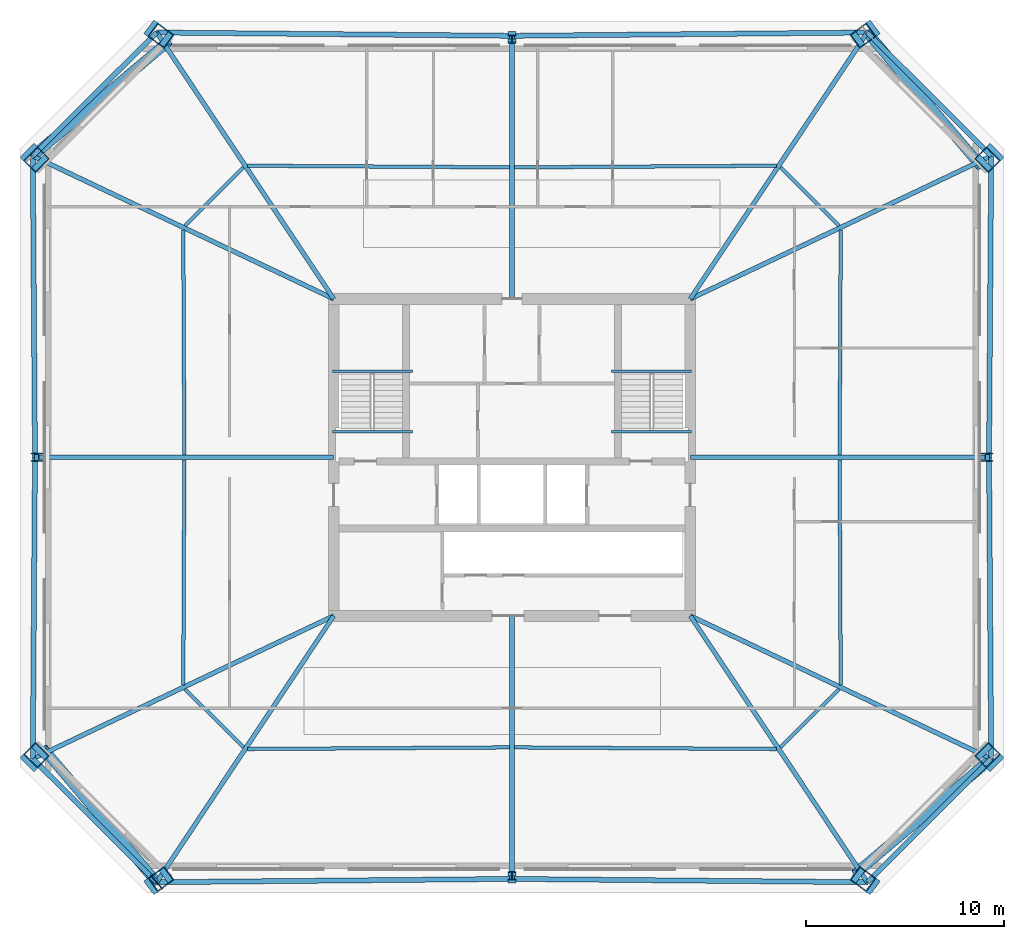
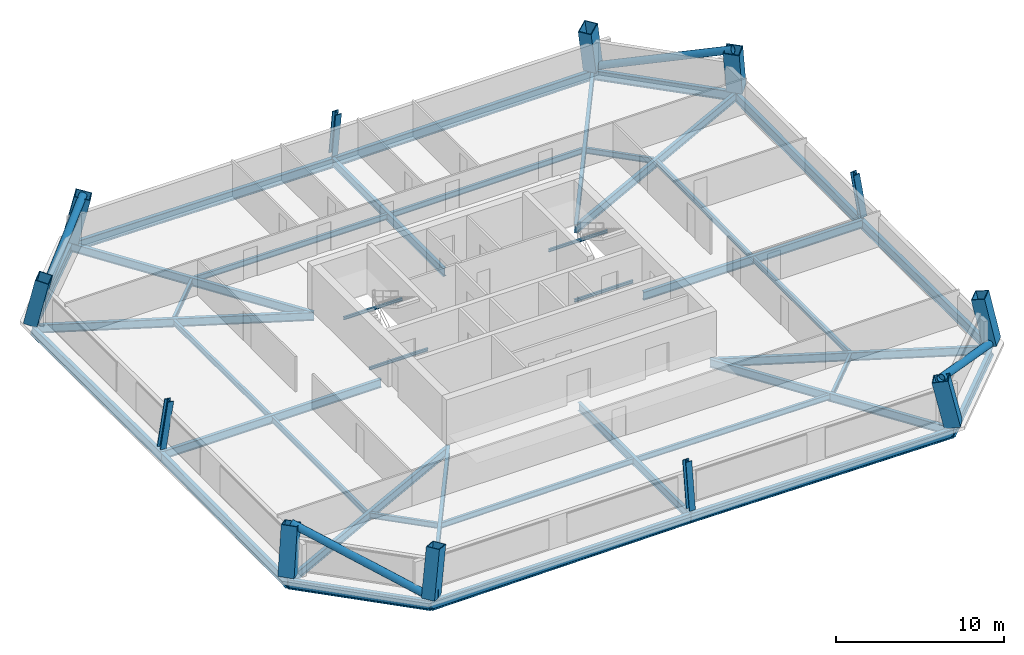
# One storey, part 1 of 6: 40 beams, 12 columns, 4 members, 1 plate.
"""IFC4 building model written with IfcOpenShell, lengths in metres."""

import ifcopenshell
import ifcopenshell.guid

model = None  # the IFC model being written
_history = None  # IfcOwnerHistory: only IFC2X3 demands one
_inside = {}  # id of a spatial element -> (the spatial element, [elements in it])
_under = {}  # id of a project, library or spatial element -> (it, [spatial elements below it])
_declared = {}  # id of a project -> (the project, [libraries it declares])
_typed = {}  # id of a type object -> (the type object, [elements of that type])
_made_of = {}  # id of a material, layer set ... -> (it, [elements and type objects made of it])


def new_model(schema):
    """Start an empty IFC model of exactly this schema.

    Asked for "IFC4X3", IfcOpenShell would pick the latest addendum, in which some entities
    have other attributes; the version numbers below select the first issue.
    IFC2X3 requires an IfcOwnerHistory on every rooted entity: one is made here for all.
    """
    global model, _history
    if schema == "IFC4X3":
        model = ifcopenshell.file(schema_version=(4, 3, 0, 0))
    else:
        model = ifcopenshell.file(schema=schema)
    _inside.clear()
    _under.clear()
    _declared.clear()
    _typed.clear()
    _made_of.clear()
    _history = None
    if model.schema == "IFC2X3":
        org = make("IfcOrganization", Name="unknown")
        user = make(
            "IfcPersonAndOrganization",
            ThePerson=make("IfcPerson", FamilyName="unknown"),
            TheOrganization=org,
        )
        app = make(
            "IfcApplication",
            ApplicationDeveloper=org,
            Version="unknown",
            ApplicationFullName="unknown",
            ApplicationIdentifier="unknown",
        )
        _history = make(
            "IfcOwnerHistory",
            OwningUser=user,
            OwningApplication=app,
            ChangeAction="ADDED",
            CreationDate=0,
        )
    return model


def make(cls, **values):
    """One entity of the class cls with the attributes given. An attribute that is None is left unset."""
    return model.create_entity(
        cls, **{name: value for name, value in values.items() if value is not None}
    )


def rooted(cls, **values):
    """An entity with a GlobalId (a new one), such as an element, a storey or a relation."""
    return make(cls, GlobalId=ifcopenshell.guid.new(), OwnerHistory=_history, **values)


def si_unit(unit_type, name, prefix=None):
    """IfcSIUnit, for example si_unit("LENGTHUNIT", "METRE", prefix="MILLI")."""
    return make("IfcSIUnit", UnitType=unit_type, Prefix=prefix, Name=name)


def assignment(units):
    """IfcUnitAssignment: the units of a project."""
    return None if units is None else make("IfcUnitAssignment", Units=units)


def point(xyz):
    """IfcCartesianPoint."""
    return None if xyz is None else make("IfcCartesianPoint", Coordinates=xyz)


def direction(xyz):
    """IfcDirection."""
    return None if xyz is None else make("IfcDirection", DirectionRatios=xyz)


def frame(location, z_axis=None, x_axis=None):
    """IfcAxis2Placement3D, a coordinate frame: its origin and axes. An axis left out is left unset."""
    return make(
        "IfcAxis2Placement3D",
        Location=point(location),
        Axis=direction(z_axis),
        RefDirection=direction(x_axis),
    )


def frame_2d(location, x_axis=None):
    """IfcAxis2Placement2D, a coordinate frame in the plane: its origin and x axis."""
    return make(
        "IfcAxis2Placement2D", Location=point(location), RefDirection=direction(x_axis)
    )


def origin():
    """The frame at (0, 0, 0) with its axes left unset."""
    return frame((0.0, 0.0, 0.0))


def origin_2d():
    """The frame at (0, 0) in the plane with its x axis left unset."""
    return frame_2d((0.0, 0.0))


def place(relative_to, where):
    """IfcLocalPlacement: puts the frame where relative to a parent placement (None: the world)."""
    return make(
        "IfcLocalPlacement", PlacementRelTo=relative_to, RelativePlacement=where
    )


def context(
    kind, dimensions, precision=None, world=None, true_north=None, identifier=None
):
    """IfcGeometricRepresentationContext, for example the 3D "Model" context."""
    return make(
        "IfcGeometricRepresentationContext",
        ContextIdentifier=identifier,
        ContextType=kind,
        CoordinateSpaceDimension=dimensions,
        Precision=precision,
        WorldCoordinateSystem=world,
        TrueNorth=true_north,
    )


def subcontext(parent, identifier, kind, view, scale=None):
    """IfcGeometricRepresentationSubContext, for example "Body" below "Model"."""
    return make(
        "IfcGeometricRepresentationSubContext",
        ContextIdentifier=identifier,
        ContextType=kind,
        ParentContext=parent,
        TargetScale=scale,
        TargetView=view,
    )


def project(units=None, contexts=None):
    """IfcProject with its units and contexts."""
    return rooted(
        "IfcProject",
        Name="project",
        RepresentationContexts=contexts,
        UnitsInContext=assignment(units),
    )


def spatial(cls, under=None, at=None, **own):
    """A site, building, storey or space (cls), placed at a placement, below another one or the project."""
    s = rooted(cls, ObjectPlacement=at, **own)
    if under is not None:
        _under.setdefault(under.id(), (under, []))[1].append(s)
    return s


def profile(cls, at=None, kind="AREA", **sizes):
    """A parametric profile (cls). Its sizes go by their IFC names, for example OverallWidth=200.0."""
    return make(cls, ProfileType=kind, Position=at, **sizes)


def rectangle(**sizes):
    """IfcRectangleProfileDef."""
    return profile("IfcRectangleProfileDef", **sizes)


def hollow_rectangle(**sizes):
    """IfcRectangleHollowProfileDef."""
    return profile("IfcRectangleHollowProfileDef", **sizes)


def hollow_circle(**sizes):
    """IfcCircleHollowProfileDef."""
    return profile("IfcCircleHollowProfileDef", **sizes)


def i_section(**sizes):
    """IfcIShapeProfileDef."""
    return profile("IfcIShapeProfileDef", **sizes)


def extrude(swept, where, along, depth):
    """IfcExtrudedAreaSolid: the profile swept, set in the frame where, extruded along a direction by depth."""
    return make(
        "IfcExtrudedAreaSolid",
        SweptArea=swept,
        Position=where,
        ExtrudedDirection=direction(along),
        Depth=depth,
    )


def shape(context_of_items, identifier, shape_type, items):
    """IfcShapeRepresentation: the items that make up one representation, for example the "Body"."""
    return make(
        "IfcShapeRepresentation",
        ContextOfItems=context_of_items,
        RepresentationIdentifier=identifier,
        RepresentationType=shape_type,
        Items=items,
    )


def material(Name=None, Category=None):
    """IfcMaterial."""
    return make("IfcMaterial", Name=Name, Category=Category)


def layer(
    of_material, thickness, ventilated=None, Name=None, Category=None, Priority=None
):
    """IfcMaterialLayer: one layer of a wall or slab, of a material (None: an air gap)."""
    return make(
        "IfcMaterialLayer",
        Material=of_material,
        LayerThickness=thickness,
        IsVentilated=ventilated,
        Name=Name,
        Category=Category,
        Priority=Priority,
    )


def layer_set(layers, Name=None):
    """IfcMaterialLayerSet."""
    return make("IfcMaterialLayerSet", MaterialLayers=layers, LayerSetName=Name)


def material_profile(
    of_material, cross_section, Name=None, Category=None, Priority=None
):
    """IfcMaterialProfile: a cross section and its material."""
    return make(
        "IfcMaterialProfile",
        Name=Name,
        Material=of_material,
        Profile=cross_section,
        Priority=Priority,
        Category=Category,
    )


def profile_set(profiles, Name=None, composite=None):
    """IfcMaterialProfileSet."""
    return make(
        "IfcMaterialProfileSet",
        Name=Name,
        MaterialProfiles=profiles,
        CompositeProfile=composite,
    )


def made_of(thing, what):
    """Note that an element or type object is made of a material, layer set ...; save() writes the relation."""
    if what is not None:
        _made_of.setdefault(what.id(), (what, []))[1].append(thing)
    return thing


def type_object(cls, material=None, **own):
    """A type object (cls), such as IfcWallType, which elements share."""
    return made_of(rooted(cls, **own), material)


def element(
    cls,
    number,
    at=None,
    inside=None,
    cuts=None,
    type_object=None,
    material=None,
    context=None,
    identifier="Body",
    shape_type=None,
    held_by="IfcProductDefinitionShape",
    body=None,
    shapes=None,
    **own,
):
    """One element of the class cls, such as IfcWall. Its Tag is "e" and its number.

    at: its placement. inside: the storey or other place that contains it. cuts: it is an
    opening in that element (IfcRelVoidsElement). A single representation is given by context,
    identifier, shape_type and body (its items); several are given by shapes. held_by: the class
    of the entity that holds the representations. save() writes the other relations.
    """
    e = rooted(cls, Tag="e%d" % number, ObjectPlacement=at, **own)
    if body is not None:
        shapes = [shape(context, identifier, shape_type, body)]
    if shapes is not None:
        e.Representation = make(held_by, Representations=shapes)
    if inside is not None:
        _inside.setdefault(inside.id(), (inside, []))[1].append(e)
    if cuts is not None:
        rooted(
            "IfcRelVoidsElement", RelatingBuildingElement=cuts, RelatedOpeningElement=e
        )
    if type_object is not None:
        _typed.setdefault(type_object.id(), (type_object, []))[1].append(e)
    return made_of(e, material)


def aggregate(whole, parts):
    """IfcRelAggregates: a whole, such as a stair, and the parts it consists of."""
    return rooted("IfcRelAggregates", RelatingObject=whole, RelatedObjects=parts)


def save(model, path):
    """Write the relations noted so far, then the file.

    IfcRelAggregates (storeys below a building ...), IfcRelContainedInSpatialStructure (elements
    in a storey), IfcRelDefinesByType, IfcRelAssociatesMaterial and IfcRelDeclares: one each for
    every whole, place, type object, material and project.
    """
    for whole, parts in _under.values():
        aggregate(whole, parts)
    for where, things in _inside.values():
        rooted(
            "IfcRelContainedInSpatialStructure",
            RelatedElements=things,
            RelatingStructure=where,
        )
    for kind, things in _typed.values():
        rooted("IfcRelDefinesByType", RelatedObjects=things, RelatingType=kind)
    for what, things in _made_of.values():
        rooted("IfcRelAssociatesMaterial", RelatedObjects=things, RelatingMaterial=what)
    for by, libraries in _declared.values():
        rooted("IfcRelDeclares", RelatingContext=by, RelatedDefinitions=libraries)
    model.write(path)


model = new_model("IFC4")

# Units and contexts
model_context = context("Model", 3, precision=1e-05, world=origin(), true_north=direction((0.0, 1.0)))
body_context = subcontext(model_context, "Body", "Model", "MODEL_VIEW")
ifc_project = project(units=[si_unit("LENGTHUNIT", "METRE"), si_unit("AREAUNIT", "SQUARE_METRE"), si_unit("VOLUMEUNIT", "CUBIC_METRE"), si_unit("PLANEANGLEUNIT", "RADIAN"), si_unit("MASSUNIT", "GRAM", prefix="KILO")], contexts=[model_context])

# Site, building, storey
site_placement = place(None, origin())
site = spatial("IfcSite", under=ifc_project, at=site_placement, CompositionType="ELEMENT")
building_placement = place(site_placement, origin())
building = spatial("IfcBuilding", under=site, at=building_placement, Name="Caelvoria Tower", CompositionType="ELEMENT")
storey_placement = place(building_placement, frame((0.0, 0.0, 163.60009765625)))
storey = spatial("IfcBuildingStorey", under=building, at=storey_placement, Name="L43", CompositionType="ELEMENT", Elevation=163.60009765625)

# Columns
ifc_material_1 = material(Name="Structural Steel ASTM A572 Gr.50", Category="steel")
ifc_material_profile_1 = material_profile(ifc_material_1, hollow_rectangle(XDim=0.85009765625, YDim=1.0, WallThickness=0.050048828125, at=origin_2d()), Name="Structural Steel ASTM A572 Gr.50")
ifc_profile_set_1 = profile_set([ifc_material_profile_1], Name="BOX1000X850X50 - Structural Steel ASTM A572 Gr.50")
column_type_1 = type_object("IfcColumnType", Name="Mega Box Column 1000x850x50", PredefinedType="COLUMN", material=ifc_profile_set_1)
for number, where, z_axis, x_axis, name in (
    (1, (28.06201171875, 10.55224609375, 0.0), (0.177459869766, 0.131769219711, 0.975266562207), (-0.596154567715, 0.802869685187, 0.0), "Perimeter Megaframe Column L43-P00"),
    (2, (63.93798828125, 10.55224609375, 0.0), (-0.177459869766, 0.131769219711, 0.975266562207), (-0.596154567715, -0.802869685187, 0.0), "Perimeter Megaframe Column L43-P02"),
):
    element("IfcColumn", number, at=place(storey_placement, frame(where, z_axis=z_axis, x_axis=x_axis)), inside=storey, type_object=column_type_1, Name=name, PredefinedType="COLUMN", context=body_context, shape_type="SweptSolid", body=[
        extrude(hollow_rectangle(XDim=0.85009765625, YDim=1.0, WallThickness=0.050048828125, at=origin_2d()), origin(), (0.0, 0.0, 1.0), 3.36083984375),
    ])
for number, where, z_axis, x_axis, name in (
    (3, (70.1904296875, 16.783447265625, 0.0), (-0.155392621081, 0.153720951163, 0.975819144354), (0.693729718615, -0.686266770285, 0.218579499296), "Perimeter Megaframe Column L43-P03"),
    (4, (70.1904296875, 47.216552734375, 0.0), (-0.155392621081, -0.153720951163, 0.975819144354), (0.693729718615, 0.686266770285, 0.218579499296), "Perimeter Megaframe Column L43-P05"),
):
    element("IfcColumn", number, at=place(storey_placement, frame(where, z_axis=z_axis, x_axis=x_axis)), inside=storey, type_object=column_type_1, Name=name, PredefinedType="COLUMN", context=body_context, shape_type="SweptSolid", body=[
        extrude(hollow_rectangle(XDim=0.85009765625, YDim=1.0, WallThickness=0.050048828125, at=origin_2d()), origin(), (0.0, 0.0, 1.0), 3.359130859375),
    ])
for number, where, z_axis, x_axis, name in (
    (5, (63.93798828125, 53.44775390625, 0.0), (-0.177459869766, -0.131769219711, 0.975266562207), (0.596154567715, -0.802869685187, 0.0), "Perimeter Megaframe Column L43-P06"),
    (6, (28.06201171875, 53.44775390625, 0.0), (0.177459869766, -0.131769219711, 0.975266562207), (0.596154567715, 0.802869685187, 0.0), "Perimeter Megaframe Column L43-P08"),
):
    element("IfcColumn", number, at=place(storey_placement, frame(where, z_axis=z_axis, x_axis=x_axis)), inside=storey, type_object=column_type_1, Name=name, PredefinedType="COLUMN", context=body_context, shape_type="SweptSolid", body=[
        extrude(hollow_rectangle(XDim=0.85009765625, YDim=1.0, WallThickness=0.050048828125, at=origin_2d()), origin(), (0.0, 0.0, 1.0), 3.36083984375),
    ])
for number, where, z_axis, x_axis, name in (
    (7, (21.8095703125, 47.216552734375, 0.0), (0.155392621081, -0.153720951163, 0.975819144354), (-0.693729718615, 0.686266770285, 0.218579499296), "Perimeter Megaframe Column L43-P09"),
    (8, (21.8095703125, 16.783447265625, 0.0), (0.155392621081, 0.153720951163, 0.975819144354), (-0.693729718615, -0.686266770285, 0.218579499296), "Perimeter Megaframe Column L43-P11"),
):
    element("IfcColumn", number, at=place(storey_placement, frame(where, z_axis=z_axis, x_axis=x_axis)), inside=storey, type_object=column_type_1, Name=name, PredefinedType="COLUMN", context=body_context, shape_type="SweptSolid", body=[
        extrude(hollow_rectangle(XDim=0.85009765625, YDim=1.0, WallThickness=0.050048828125, at=origin_2d()), origin(), (0.0, 0.0, 1.0), 3.359130859375),
    ])
ifc_material_2 = material(Name="Structural Steel ASTM A992 Gr.50", Category="steel")
ifc_material_profile_2 = material_profile(ifc_material_2, i_section(OverallWidth=0.406005859375, OverallDepth=0.425048828125, WebThickness=0.03271484375, FlangeThickness=0.052490234375, FilletRadius=0.02490234375, at=origin_2d()), Name="Structural Steel ASTM A992 Gr.50")
ifc_profile_set_2 = profile_set([ifc_material_profile_2], Name="W360X421 - Structural Steel ASTM A992 Gr.50")
column_type_2 = type_object("IfcColumnType", Name="Mid Frame Column W360X421", PredefinedType="COLUMN", material=ifc_profile_set_2)
column_1_placement = place(storey_placement, frame((46.0, 10.719970703125, 0.0), z_axis=(0.0, 0.133024371067, 0.991112766895), x_axis=(-1.0, 0.0, 0.0)))
element("IfcColumn", 9, at=column_1_placement, inside=storey, type_object=column_type_2, Name="Perimeter Megaframe Column L43-P01", PredefinedType="COLUMN", context=body_context, shape_type="SweptSolid", body=[
    extrude(i_section(OverallWidth=0.406005859375, OverallDepth=0.425048828125, WebThickness=0.03271484375, FlangeThickness=0.052490234375, FilletRadius=0.02490234375, at=origin_2d()), origin(), (0.0, 0.0, 1.0), 3.30712890625),
])
column_2_placement = place(storey_placement, frame((70.080078125, 32.0, 0.0), z_axis=(-0.156687816488, 0.0, 0.987648180358), x_axis=(0.987648180358, 0.0, 0.156687816488)))
element("IfcColumn", 10, at=column_2_placement, inside=storey, type_object=column_type_2, Name="Perimeter Megaframe Column L43-P04", PredefinedType="COLUMN", context=body_context, shape_type="SweptSolid", body=[
    extrude(i_section(OverallWidth=0.406005859375, OverallDepth=0.425048828125, WebThickness=0.03271484375, FlangeThickness=0.052490234375, FilletRadius=0.02490234375, at=origin_2d()), origin(), (0.0, 0.0, 1.0), 3.31884765625),
])
column_3_placement = place(storey_placement, frame((46.0, 53.280029296875, 0.0), z_axis=(0.0, -0.133024371067, 0.991112766895), x_axis=(1.0, 0.0, 0.0)))
element("IfcColumn", 11, at=column_3_placement, inside=storey, type_object=column_type_2, Name="Perimeter Megaframe Column L43-P07", PredefinedType="COLUMN", context=body_context, shape_type="SweptSolid", body=[
    extrude(i_section(OverallWidth=0.406005859375, OverallDepth=0.425048828125, WebThickness=0.03271484375, FlangeThickness=0.052490234375, FilletRadius=0.02490234375, at=origin_2d()), origin(), (0.0, 0.0, 1.0), 3.30712890625),
])
column_4_placement = place(storey_placement, frame((21.919921875, 32.0, 0.0), z_axis=(0.156687816488, 0.0, 0.987648180358), x_axis=(-0.987648180358, 0.0, 0.156687816488)))
element("IfcColumn", 12, at=column_4_placement, inside=storey, type_object=column_type_2, Name="Perimeter Megaframe Column L43-P10", PredefinedType="COLUMN", context=body_context, shape_type="SweptSolid", body=[
    extrude(i_section(OverallWidth=0.406005859375, OverallDepth=0.425048828125, WebThickness=0.03271484375, FlangeThickness=0.052490234375, FilletRadius=0.02490234375, at=origin_2d()), origin(), (0.0, 0.0, 1.0), 3.31884765625),
])

# Beams
ifc_material_profile_3 = material_profile(ifc_material_2, i_section(OverallWidth=0.134033203125, OverallDepth=0.2099609375, WebThickness=0.00634765625, FlangeThickness=0.01025390625, FilletRadius=0.010009765625, at=origin_2d()), Name="Structural Steel ASTM A992 Gr.50")
ifc_profile_set_3 = profile_set([ifc_material_profile_3], Name="W200X31.3 - Structural Steel ASTM A992 Gr.50")
beam_type_1 = type_object("IfcBeamType", Name="Canopy Edge Trim Beam W200X31.3", PredefinedType="BEAM", material=ifc_profile_set_3)
for number, where, z_axis, x_axis, name in (
    (13, (36.929931640625, 36.35009765625, 1.494873046875), (1.0, 0.0, 0.0), (0.0, 1.0, 0.0), "ST-01 Half-Landing Support Beam L43"),
    (14, (36.929931640625, 33.300048828125, -0.30517578125), (1.0, 0.0, 0.0), (0.0, 1.0, 0.0), "ST-01 Floor-Landing Support Beam L43"),
    (15, (51.030029296875, 36.35009765625, 1.494873046875), (1.0, 0.0, 0.0), (0.0, 1.0, 0.0), "ST-02 Half-Landing Support Beam L43"),
    (16, (51.030029296875, 33.300048828125, -0.30517578125), (1.0, 0.0, 0.0), (0.0, 1.0, 0.0), "ST-02 Floor-Landing Support Beam L43"),
):
    element("IfcBeam", number, at=place(storey_placement, frame(where, z_axis=z_axis, x_axis=x_axis)), inside=storey, type_object=beam_type_1, Name=name, PredefinedType="BEAM", context=body_context, shape_type="SweptSolid", body=[
        extrude(i_section(OverallWidth=0.134033203125, OverallDepth=0.2099609375, WebThickness=0.00634765625, FlangeThickness=0.01025390625, FilletRadius=0.010009765625, at=origin_2d()), origin(), (0.0, 0.0, 1.0), 4.0400390625),
    ])

# Members
ifc_material_profile_4 = material_profile(ifc_material_1, hollow_circle(Radius=0.25390625, WallThickness=0.02001953125, at=origin_2d()), Name="Structural Steel ASTM A572 Gr.50")
ifc_profile_set_4 = profile_set([ifc_material_profile_4], Name="CHS508X20 - Structural Steel ASTM A572 Gr.50")
member_type = type_object("IfcMemberType", Name="Mid Perimeter Mega Brace CHS508X20", PredefinedType="BRACE", material=ifc_profile_set_4)
member_1_placement = place(storey_placement, frame((70.1904296875, 16.783447265625, 0.0), z_axis=(-0.717292144639, -0.606219636304, 0.343496334477), x_axis=(0.645495440727, -0.763764123274, 0.0)))
element("IfcMember", 17, at=member_1_placement, inside=storey, type_object=member_type, Name="Perimeter Chamfer Mega Brace L43 SE", PredefinedType="BRACE", context=body_context, shape_type="SweptSolid", body=[
    extrude(hollow_circle(Radius=0.25390625, WallThickness=0.02001953125, at=origin_2d()), origin(), (0.0, 0.0, 1.0), 9.54833984375),
])
member_2_placement = place(storey_placement, frame((63.93798828125, 53.44775390625, 0.0), z_axis=(0.607003004406, -0.714738796685, 0.347413018115), x_axis=(0.762215514098, 0.647323342749, 0.0)))
element("IfcMember", 18, at=member_2_placement, inside=storey, type_object=member_type, Name="Perimeter Chamfer Mega Brace L43 NE", PredefinedType="BRACE", context=body_context, shape_type="SweptSolid", body=[
    extrude(hollow_circle(Radius=0.25390625, WallThickness=0.02001953125, at=origin_2d()), origin(), (0.0, 0.0, 1.0), 9.440673828125),
])
member_3_placement = place(storey_placement, frame((21.8095703125, 47.216552734375, 0.0), z_axis=(0.717292144639, 0.606219636304, 0.343496334477), x_axis=(-0.645495440727, 0.763764123274, 0.0)))
element("IfcMember", 19, at=member_3_placement, inside=storey, type_object=member_type, Name="Perimeter Chamfer Mega Brace L43 NW", PredefinedType="BRACE", context=body_context, shape_type="SweptSolid", body=[
    extrude(hollow_circle(Radius=0.25390625, WallThickness=0.02001953125, at=origin_2d()), origin(), (0.0, 0.0, 1.0), 9.54833984375),
])
member_4_placement = place(storey_placement, frame((28.06201171875, 10.55224609375, 0.0), z_axis=(-0.607003004406, 0.714738796685, 0.347413018115), x_axis=(-0.762215514098, -0.647323342749, 0.0)))
element("IfcMember", 20, at=member_4_placement, inside=storey, type_object=member_type, Name="Perimeter Chamfer Mega Brace L43 SW", PredefinedType="BRACE", context=body_context, shape_type="SweptSolid", body=[
    extrude(hollow_circle(Radius=0.25390625, WallThickness=0.02001953125, at=origin_2d()), origin(), (0.0, 0.0, 1.0), 9.440673828125),
])

# Beams
ifc_material_profile_5 = material_profile(ifc_material_2, i_section(OverallWidth=0.25390625, OverallDepth=0.68798828125, WebThickness=0.01318359375, FlangeThickness=0.02099609375, FilletRadius=0.01904296875, at=origin_2d()), Name="Structural Steel ASTM A992 Gr.50")
ifc_profile_set_5 = profile_set([ifc_material_profile_5], Name="W690X152 - Structural Steel ASTM A992 Gr.50")
beam_type_2 = type_object("IfcBeamType", Name="Perimeter Spandrel Girder W690X152", PredefinedType="BEAM", material=ifc_profile_set_5)
for number, where, z_axis, x_axis, name in (
    (21, (28.06201171875, 10.55224609375, -0.583984375), (0.999956289313, 0.00934983764, 0.0), (-0.00934983764, 0.999956289313, 0.0), "Perimeter Spandrel Girder L43-00"),
    (22, (46.0, 10.719970703125, -0.583984375), (0.999956289313, -0.00934983764, 0.0), (0.00934983764, 0.999956289313, 0.0), "Perimeter Spandrel Girder L43-01"),
):
    element("IfcBeam", number, at=place(storey_placement, frame(where, z_axis=z_axis, x_axis=x_axis)), inside=storey, type_object=beam_type_2, Name=name, PredefinedType="BEAM", context=body_context, shape_type="SweptSolid", body=[
        extrude(i_section(OverallWidth=0.25390625, OverallDepth=0.68798828125, WebThickness=0.01318359375, FlangeThickness=0.02099609375, FilletRadius=0.01904296875, at=origin_2d()), origin(), (0.0, 0.0, 1.0), 17.938720703125),
    ])
beam_1_placement = place(storey_placement, frame((63.93798828125, 10.55224609375, -0.583984375), z_axis=(0.708308859415, 0.705902655948, 0.0), x_axis=(-0.705902655948, 0.708308859415, 0.0)))
element("IfcBeam", 23, at=beam_1_placement, inside=storey, type_object=beam_type_2, Name="Perimeter Spandrel Girder L43-02", PredefinedType="BEAM", context=body_context, shape_type="SweptSolid", body=[
    extrude(i_section(OverallWidth=0.25390625, OverallDepth=0.68798828125, WebThickness=0.01318359375, FlangeThickness=0.02099609375, FilletRadius=0.01904296875, at=origin_2d()), origin(), (0.0, 0.0, 1.0), 8.827392578125),
])
for number, where, z_axis, x_axis, name in (
    (24, (70.1904296875, 16.783447265625, -0.583984375), (-0.007251883045, 0.99997370475, 0.0), (-0.99997370475, -0.007251883045, 0.0), "Perimeter Spandrel Girder L43-03"),
    (25, (70.080078125, 32.0, -0.583984375), (0.007251883045, 0.99997370475, 0.0), (-0.99997370475, 0.007251883045, 0.0), "Perimeter Spandrel Girder L43-04"),
):
    element("IfcBeam", number, at=place(storey_placement, frame(where, z_axis=z_axis, x_axis=x_axis)), inside=storey, type_object=beam_type_2, Name=name, PredefinedType="BEAM", context=body_context, shape_type="SweptSolid", body=[
        extrude(i_section(OverallWidth=0.25390625, OverallDepth=0.68798828125, WebThickness=0.01318359375, FlangeThickness=0.02099609375, FilletRadius=0.01904296875, at=origin_2d()), origin(), (0.0, 0.0, 1.0), 15.217041015625),
    ])
beam_2_placement = place(storey_placement, frame((70.1904296875, 47.216552734375, -0.583984375), z_axis=(-0.708308859415, 0.705902655948, 0.0), x_axis=(-0.705902655948, -0.708308859415, 0.0)))
element("IfcBeam", 26, at=beam_2_placement, inside=storey, type_object=beam_type_2, Name="Perimeter Spandrel Girder L43-05", PredefinedType="BEAM", context=body_context, shape_type="SweptSolid", body=[
    extrude(i_section(OverallWidth=0.25390625, OverallDepth=0.68798828125, WebThickness=0.01318359375, FlangeThickness=0.02099609375, FilletRadius=0.01904296875, at=origin_2d()), origin(), (0.0, 0.0, 1.0), 8.827392578125),
])
for number, where, z_axis, x_axis, name in (
    (27, (63.93798828125, 53.44775390625, -0.583984375), (-0.999956289313, -0.00934983764, 0.0), (0.00934983764, -0.999956289313, 0.0), "Perimeter Spandrel Girder L43-06"),
    (28, (46.0, 53.280029296875, -0.583984375), (-0.999956289313, 0.00934983764, 0.0), (-0.00934983764, -0.999956289313, 0.0), "Perimeter Spandrel Girder L43-07"),
):
    element("IfcBeam", number, at=place(storey_placement, frame(where, z_axis=z_axis, x_axis=x_axis)), inside=storey, type_object=beam_type_2, Name=name, PredefinedType="BEAM", context=body_context, shape_type="SweptSolid", body=[
        extrude(i_section(OverallWidth=0.25390625, OverallDepth=0.68798828125, WebThickness=0.01318359375, FlangeThickness=0.02099609375, FilletRadius=0.01904296875, at=origin_2d()), origin(), (0.0, 0.0, 1.0), 17.938720703125),
    ])
beam_3_placement = place(storey_placement, frame((28.06201171875, 53.44775390625, -0.583984375), z_axis=(-0.708308859415, -0.705902655948, 0.0), x_axis=(0.705902655948, -0.708308859415, 0.0)))
element("IfcBeam", 29, at=beam_3_placement, inside=storey, type_object=beam_type_2, Name="Perimeter Spandrel Girder L43-08", PredefinedType="BEAM", context=body_context, shape_type="SweptSolid", body=[
    extrude(i_section(OverallWidth=0.25390625, OverallDepth=0.68798828125, WebThickness=0.01318359375, FlangeThickness=0.02099609375, FilletRadius=0.01904296875, at=origin_2d()), origin(), (0.0, 0.0, 1.0), 8.827392578125),
])
for number, where, z_axis, x_axis, name in (
    (30, (21.8095703125, 47.216552734375, -0.583984375), (0.007251883045, -0.99997370475, 0.0), (0.99997370475, 0.007251883045, 0.0), "Perimeter Spandrel Girder L43-09"),
    (31, (21.919921875, 32.0, -0.583984375), (-0.007251883045, -0.99997370475, 0.0), (0.99997370475, -0.007251883045, 0.0), "Perimeter Spandrel Girder L43-10"),
):
    element("IfcBeam", number, at=place(storey_placement, frame(where, z_axis=z_axis, x_axis=x_axis)), inside=storey, type_object=beam_type_2, Name=name, PredefinedType="BEAM", context=body_context, shape_type="SweptSolid", body=[
        extrude(i_section(OverallWidth=0.25390625, OverallDepth=0.68798828125, WebThickness=0.01318359375, FlangeThickness=0.02099609375, FilletRadius=0.01904296875, at=origin_2d()), origin(), (0.0, 0.0, 1.0), 15.217041015625),
    ])
beam_4_placement = place(storey_placement, frame((21.8095703125, 16.783447265625, -0.583984375), z_axis=(0.708308859415, -0.705902655948, 0.0), x_axis=(0.705902655948, 0.708308859415, 0.0)))
element("IfcBeam", 32, at=beam_4_placement, inside=storey, type_object=beam_type_2, Name="Perimeter Spandrel Girder L43-11", PredefinedType="BEAM", context=body_context, shape_type="SweptSolid", body=[
    extrude(i_section(OverallWidth=0.25390625, OverallDepth=0.68798828125, WebThickness=0.01318359375, FlangeThickness=0.02099609375, FilletRadius=0.01904296875, at=origin_2d()), origin(), (0.0, 0.0, 1.0), 8.827392578125),
])
ifc_material_profile_6 = material_profile(ifc_material_2, i_section(OverallWidth=0.22802734375, OverallDepth=0.60302734375, WebThickness=0.010498046875, FlangeThickness=0.014892578125, FilletRadius=0.01806640625, at=origin_2d()), Name="Structural Steel ASTM A992 Gr.50")
ifc_profile_set_6 = profile_set([ifc_material_profile_6], Name="W610X101 - Structural Steel ASTM A992 Gr.50")
beam_type_3 = type_object("IfcBeamType", Name="Primary Floor Girder W610X101", PredefinedType="BEAM", material=ifc_profile_set_6)
beam_5_placement = place(storey_placement, frame((37.0, 24.0, -0.54150390625), z_axis=(-0.553534267867, -0.832826401056, 0.0), x_axis=(0.832826401056, -0.553534267867, 0.0)))
element("IfcBeam", 33, at=beam_5_placement, inside=storey, type_object=beam_type_3, Name="Primary Floor Girder L43-00", PredefinedType="BEAM", context=body_context, shape_type="SweptSolid", body=[
    extrude(i_section(OverallWidth=0.22802734375, OverallDepth=0.60302734375, WebThickness=0.010498046875, FlangeThickness=0.014892578125, FilletRadius=0.01806640625, at=origin_2d()), origin(), (0.0, 0.0, 1.0), 16.147216796875),
])
beam_6_placement = place(storey_placement, frame((46.0, 24.0, -0.54150390625), z_axis=(0.0, -1.0, 0.0), x_axis=(1.0, 0.0, 0.0)))
element("IfcBeam", 34, at=beam_6_placement, inside=storey, type_object=beam_type_3, Name="Primary Floor Girder L43-01", PredefinedType="BEAM", context=body_context, shape_type="SweptSolid", body=[
    extrude(i_section(OverallWidth=0.22802734375, OverallDepth=0.60302734375, WebThickness=0.010498046875, FlangeThickness=0.014892578125, FilletRadius=0.01806640625, at=origin_2d()), origin(), (0.0, 0.0, 1.0), 13.280029296875),
])
beam_7_placement = place(storey_placement, frame((55.0, 24.0, -0.54150390625), z_axis=(0.553534267867, -0.832826401056, 0.0), x_axis=(0.832826401056, 0.553534267867, 0.0)))
element("IfcBeam", 35, at=beam_7_placement, inside=storey, type_object=beam_type_3, Name="Primary Floor Girder L43-02", PredefinedType="BEAM", context=body_context, shape_type="SweptSolid", body=[
    extrude(i_section(OverallWidth=0.22802734375, OverallDepth=0.60302734375, WebThickness=0.010498046875, FlangeThickness=0.014892578125, FilletRadius=0.01806640625, at=origin_2d()), origin(), (0.0, 0.0, 1.0), 16.147216796875),
])
beam_8_placement = place(storey_placement, frame((55.0, 24.0, -0.54150390625), z_axis=(0.903252184891, -0.429110114645, 0.0), x_axis=(0.429110114645, 0.903252184891, 0.0)))
element("IfcBeam", 36, at=beam_8_placement, inside=storey, type_object=beam_type_3, Name="Primary Floor Girder L43-03", PredefinedType="BEAM", context=body_context, shape_type="SweptSolid", body=[
    extrude(i_section(OverallWidth=0.22802734375, OverallDepth=0.60302734375, WebThickness=0.010498046875, FlangeThickness=0.014892578125, FilletRadius=0.01806640625, at=origin_2d()), origin(), (0.0, 0.0, 1.0), 16.8173828125),
])
beam_9_placement = place(storey_placement, frame((55.0, 32.0, -0.54150390625), z_axis=(1.0, 0.0, 0.0), x_axis=(0.0, 1.0, 0.0)))
element("IfcBeam", 37, at=beam_9_placement, inside=storey, type_object=beam_type_3, Name="Primary Floor Girder L43-04", PredefinedType="BEAM", context=body_context, shape_type="SweptSolid", body=[
    extrude(i_section(OverallWidth=0.22802734375, OverallDepth=0.60302734375, WebThickness=0.010498046875, FlangeThickness=0.014892578125, FilletRadius=0.01806640625, at=origin_2d()), origin(), (0.0, 0.0, 1.0), 15.080078125),
])
beam_10_placement = place(storey_placement, frame((55.0, 40.0, -0.54150390625), z_axis=(0.903252184891, 0.429110114645, 0.0), x_axis=(-0.429110114645, 0.903252184891, 0.0)))
element("IfcBeam", 38, at=beam_10_placement, inside=storey, type_object=beam_type_3, Name="Primary Floor Girder L43-05", PredefinedType="BEAM", context=body_context, shape_type="SweptSolid", body=[
    extrude(i_section(OverallWidth=0.22802734375, OverallDepth=0.60302734375, WebThickness=0.010498046875, FlangeThickness=0.014892578125, FilletRadius=0.01806640625, at=origin_2d()), origin(), (0.0, 0.0, 1.0), 16.8173828125),
])
beam_11_placement = place(storey_placement, frame((55.0, 40.0, -0.54150390625), z_axis=(0.553534267867, 0.832826401056, 0.0), x_axis=(-0.832826401056, 0.553534267867, 0.0)))
element("IfcBeam", 39, at=beam_11_placement, inside=storey, type_object=beam_type_3, Name="Primary Floor Girder L43-06", PredefinedType="BEAM", context=body_context, shape_type="SweptSolid", body=[
    extrude(i_section(OverallWidth=0.22802734375, OverallDepth=0.60302734375, WebThickness=0.010498046875, FlangeThickness=0.014892578125, FilletRadius=0.01806640625, at=origin_2d()), origin(), (0.0, 0.0, 1.0), 16.147216796875),
])
beam_12_placement = place(storey_placement, frame((46.0, 40.0, -0.54150390625), z_axis=(0.0, 1.0, 0.0), x_axis=(-1.0, 0.0, 0.0)))
element("IfcBeam", 40, at=beam_12_placement, inside=storey, type_object=beam_type_3, Name="Primary Floor Girder L43-07", PredefinedType="BEAM", context=body_context, shape_type="SweptSolid", body=[
    extrude(i_section(OverallWidth=0.22802734375, OverallDepth=0.60302734375, WebThickness=0.010498046875, FlangeThickness=0.014892578125, FilletRadius=0.01806640625, at=origin_2d()), origin(), (0.0, 0.0, 1.0), 13.280029296875),
])
beam_13_placement = place(storey_placement, frame((37.0, 40.0, -0.54150390625), z_axis=(-0.553534267867, 0.832826401056, 0.0), x_axis=(-0.832826401056, -0.553534267867, 0.0)))
element("IfcBeam", 41, at=beam_13_placement, inside=storey, type_object=beam_type_3, Name="Primary Floor Girder L43-08", PredefinedType="BEAM", context=body_context, shape_type="SweptSolid", body=[
    extrude(i_section(OverallWidth=0.22802734375, OverallDepth=0.60302734375, WebThickness=0.010498046875, FlangeThickness=0.014892578125, FilletRadius=0.01806640625, at=origin_2d()), origin(), (0.0, 0.0, 1.0), 16.147216796875),
])
beam_14_placement = place(storey_placement, frame((37.0, 40.0, -0.54150390625), z_axis=(-0.903252184891, 0.429110114645, 0.0), x_axis=(-0.429110114645, -0.903252184891, 0.0)))
element("IfcBeam", 42, at=beam_14_placement, inside=storey, type_object=beam_type_3, Name="Primary Floor Girder L43-09", PredefinedType="BEAM", context=body_context, shape_type="SweptSolid", body=[
    extrude(i_section(OverallWidth=0.22802734375, OverallDepth=0.60302734375, WebThickness=0.010498046875, FlangeThickness=0.014892578125, FilletRadius=0.01806640625, at=origin_2d()), origin(), (0.0, 0.0, 1.0), 16.8173828125),
])
beam_15_placement = place(storey_placement, frame((37.0, 32.0, -0.54150390625), z_axis=(-1.0, 0.0, 0.0), x_axis=(0.0, -1.0, 0.0)))
element("IfcBeam", 43, at=beam_15_placement, inside=storey, type_object=beam_type_3, Name="Primary Floor Girder L43-10", PredefinedType="BEAM", context=body_context, shape_type="SweptSolid", body=[
    extrude(i_section(OverallWidth=0.22802734375, OverallDepth=0.60302734375, WebThickness=0.010498046875, FlangeThickness=0.014892578125, FilletRadius=0.01806640625, at=origin_2d()), origin(), (0.0, 0.0, 1.0), 15.080078125),
])
beam_16_placement = place(storey_placement, frame((37.0, 24.0, -0.54150390625), z_axis=(-0.903252184891, -0.429110114645, 0.0), x_axis=(0.429110114645, -0.903252184891, 0.0)))
element("IfcBeam", 44, at=beam_16_placement, inside=storey, type_object=beam_type_3, Name="Primary Floor Girder L43-11", PredefinedType="BEAM", context=body_context, shape_type="SweptSolid", body=[
    extrude(i_section(OverallWidth=0.22802734375, OverallDepth=0.60302734375, WebThickness=0.010498046875, FlangeThickness=0.014892578125, FilletRadius=0.01806640625, at=origin_2d()), origin(), (0.0, 0.0, 1.0), 16.8173828125),
])
ifc_material_profile_7 = material_profile(ifc_material_2, i_section(OverallWidth=0.177978515625, OverallDepth=0.406982421875, WebThickness=0.0078125, FlangeThickness=0.0126953125, FilletRadius=0.013916015625, at=origin_2d()), Name="Structural Steel ASTM A992 Gr.50")
ifc_profile_set_7 = profile_set([ifc_material_profile_7], Name="W410X60 - Structural Steel ASTM A992 Gr.50")
beam_type_4 = type_object("IfcBeamType", Name="Secondary Floor Beam W410X60", PredefinedType="BEAM", material=ifc_profile_set_7)
for number, where, z_axis, x_axis, name in (
    (45, (32.656005859375, 17.277099609375, -0.443603515625), (0.999980746074, 0.006205439665, 0.0), (-0.006205439665, 0.999980746074, 0.0), "Secondary Floor Beam L43-00"),
    (46, (46.125, 17.359130859375, -0.443603515625), (0.999980746074, -0.006205439665, 0.0), (0.006205439665, 0.999980746074, 0.0), "Secondary Floor Beam L43-01"),
):
    element("IfcBeam", number, at=place(storey_placement, frame(where, z_axis=z_axis, x_axis=x_axis)), inside=storey, type_object=beam_type_4, Name=name, PredefinedType="BEAM", context=body_context, shape_type="SweptSolid", body=[
        extrude(i_section(OverallWidth=0.177978515625, OverallDepth=0.406982421875, WebThickness=0.0078125, FlangeThickness=0.0126953125, FilletRadius=0.013916015625, at=origin_2d()), origin(), (0.0, 0.0, 1.0), 13.21923828125),
    ])
beam_17_placement = place(storey_placement, frame((59.5576171875, 17.364501953125, -0.443603515625), z_axis=(0.708337089703, 0.705874328299, 0.0), x_axis=(-0.705874328299, 0.708337089703, 0.0)))
element("IfcBeam", 47, at=beam_17_placement, inside=storey, type_object=beam_type_4, Name="Secondary Floor Beam L43-02", PredefinedType="BEAM", context=body_context, shape_type="SweptSolid", body=[
    extrude(i_section(OverallWidth=0.177978515625, OverallDepth=0.406982421875, WebThickness=0.0078125, FlangeThickness=0.0126953125, FilletRadius=0.013916015625, at=origin_2d()), origin(), (0.0, 0.0, 1.0), 4.16357421875),
])
for number, where, z_axis, x_axis, name in (
    (48, (62.5947265625, 20.5166015625, -0.443603515625), (-0.004771676396, 0.999988615487, 0.0), (-0.999988615487, -0.004771676396, 0.0), "Secondary Floor Beam L43-03"),
    (49, (62.54052734375, 32.125, -0.443603515625), (0.004771676396, 0.999988615487, 0.0), (-0.999988615487, 0.004771676396, 0.0), "Secondary Floor Beam L43-04"),
):
    element("IfcBeam", number, at=place(storey_placement, frame(where, z_axis=z_axis, x_axis=x_axis)), inside=storey, type_object=beam_type_4, Name=name, PredefinedType="BEAM", context=body_context, shape_type="SweptSolid", body=[
        extrude(i_section(OverallWidth=0.177978515625, OverallDepth=0.406982421875, WebThickness=0.0078125, FlangeThickness=0.0126953125, FilletRadius=0.013916015625, at=origin_2d()), origin(), (0.0, 0.0, 1.0), 11.358642578125),
    ])
beam_18_placement = place(storey_placement, frame((62.5068359375, 43.696533203125, -0.443603515625), z_axis=(-0.708337089703, 0.705874328299, 0.0), x_axis=(-0.705874328299, -0.708337089703, 0.0)))
element("IfcBeam", 50, at=beam_18_placement, inside=storey, type_object=beam_type_4, Name="Secondary Floor Beam L43-05", PredefinedType="BEAM", context=body_context, shape_type="SweptSolid", body=[
    extrude(i_section(OverallWidth=0.177978515625, OverallDepth=0.406982421875, WebThickness=0.0078125, FlangeThickness=0.0126953125, FilletRadius=0.013916015625, at=origin_2d()), origin(), (0.0, 0.0, 1.0), 4.16357421875),
])
for number, where, z_axis, x_axis, name in (
    (51, (59.343994140625, 46.722900390625, -0.443603515625), (-0.999980746074, -0.006205439665, 0.0), (0.006205439665, -0.999980746074, 0.0), "Secondary Floor Beam L43-06"),
    (52, (45.875, 46.640869140625, -0.443603515625), (-0.999980746074, 0.006205439665, 0.0), (-0.006205439665, -0.999980746074, 0.0), "Secondary Floor Beam L43-07"),
):
    element("IfcBeam", number, at=place(storey_placement, frame(where, z_axis=z_axis, x_axis=x_axis)), inside=storey, type_object=beam_type_4, Name=name, PredefinedType="BEAM", context=body_context, shape_type="SweptSolid", body=[
        extrude(i_section(OverallWidth=0.177978515625, OverallDepth=0.406982421875, WebThickness=0.0078125, FlangeThickness=0.0126953125, FilletRadius=0.013916015625, at=origin_2d()), origin(), (0.0, 0.0, 1.0), 13.21923828125),
    ])
beam_19_placement = place(storey_placement, frame((32.4423828125, 46.635498046875, -0.443603515625), z_axis=(-0.708337089703, -0.705874328299, 0.0), x_axis=(0.705874328299, -0.708337089703, 0.0)))
element("IfcBeam", 53, at=beam_19_placement, inside=storey, type_object=beam_type_4, Name="Secondary Floor Beam L43-08", PredefinedType="BEAM", context=body_context, shape_type="SweptSolid", body=[
    extrude(i_section(OverallWidth=0.177978515625, OverallDepth=0.406982421875, WebThickness=0.0078125, FlangeThickness=0.0126953125, FilletRadius=0.013916015625, at=origin_2d()), origin(), (0.0, 0.0, 1.0), 4.16357421875),
])
for number, where, z_axis, x_axis, name in (
    (54, (29.4052734375, 43.4833984375, -0.443603515625), (0.004771676396, -0.999988615487, 0.0), (0.999988615487, 0.004771676396, 0.0), "Secondary Floor Beam L43-09"),
    (55, (29.45947265625, 31.875, -0.443603515625), (-0.004771676396, -0.999988615487, 0.0), (0.999988615487, -0.004771676396, 0.0), "Secondary Floor Beam L43-10"),
):
    element("IfcBeam", number, at=place(storey_placement, frame(where, z_axis=z_axis, x_axis=x_axis)), inside=storey, type_object=beam_type_4, Name=name, PredefinedType="BEAM", context=body_context, shape_type="SweptSolid", body=[
        extrude(i_section(OverallWidth=0.177978515625, OverallDepth=0.406982421875, WebThickness=0.0078125, FlangeThickness=0.0126953125, FilletRadius=0.013916015625, at=origin_2d()), origin(), (0.0, 0.0, 1.0), 11.358642578125),
    ])
beam_20_placement = place(storey_placement, frame((29.4931640625, 20.303466796875, -0.443603515625), z_axis=(0.708337089703, -0.705874328299, 0.0), x_axis=(0.705874328299, 0.708337089703, 0.0)))
element("IfcBeam", 56, at=beam_20_placement, inside=storey, type_object=beam_type_4, Name="Secondary Floor Beam L43-11", PredefinedType="BEAM", context=body_context, shape_type="SweptSolid", body=[
    extrude(i_section(OverallWidth=0.177978515625, OverallDepth=0.406982421875, WebThickness=0.0078125, FlangeThickness=0.0126953125, FilletRadius=0.013916015625, at=origin_2d()), origin(), (0.0, 0.0, 1.0), 4.16357421875),
])

# Plate
ifc_layer = layer(ifc_material_1, 0.0400390625, Name="Structural Steel ASTM A572 Gr.50")
ifc_layer_set = layer_set([ifc_layer], Name="Megaframe Node Gusset Plate 900x600x40 - Structural Steel ASTM A572 Gr.50")
plate_type = type_object("IfcPlateType", Name="Megaframe Node Gusset Plate 900x600x40", PredefinedType="USERDEFINED", material=ifc_layer_set)
plate_placement = place(storey_placement, frame((28.06201171875, 10.55224609375, 0.019775390625), z_axis=(0.0, 0.0, 1.0), x_axis=(-0.647310091836, 0.762226767443, 0.0)))
element("IfcPlate", 57, at=plate_placement, inside=storey, type_object=plate_type, Name="Chamfer Mega Brace Gusset L43 SW", ObjectType="GUSSET_PLATE", PredefinedType="USERDEFINED", context=body_context, shape_type="SweptSolid", body=[
    extrude(rectangle(XDim=0.89990234375, YDim=0.0400390625, at=origin_2d()), origin(), (0.0, 0.0, 1.0), 0.60009765625),
])

save(model, "model.ifc")
